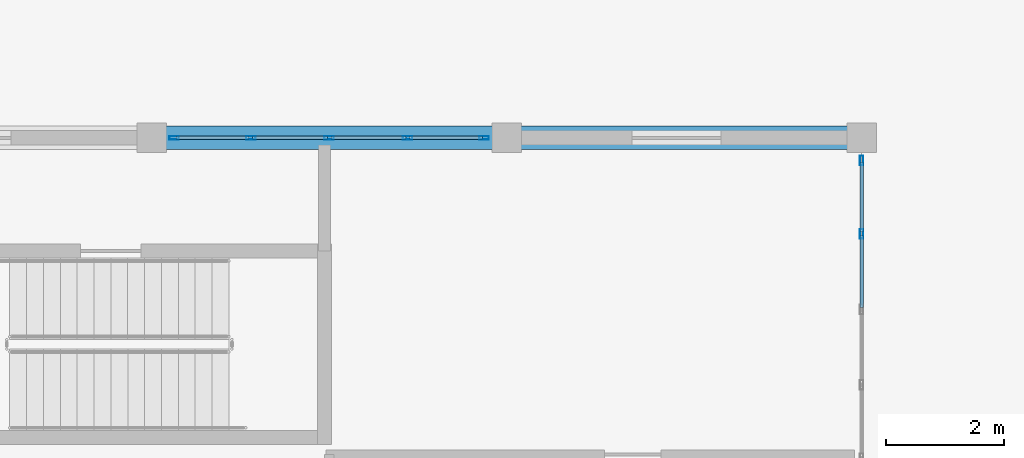
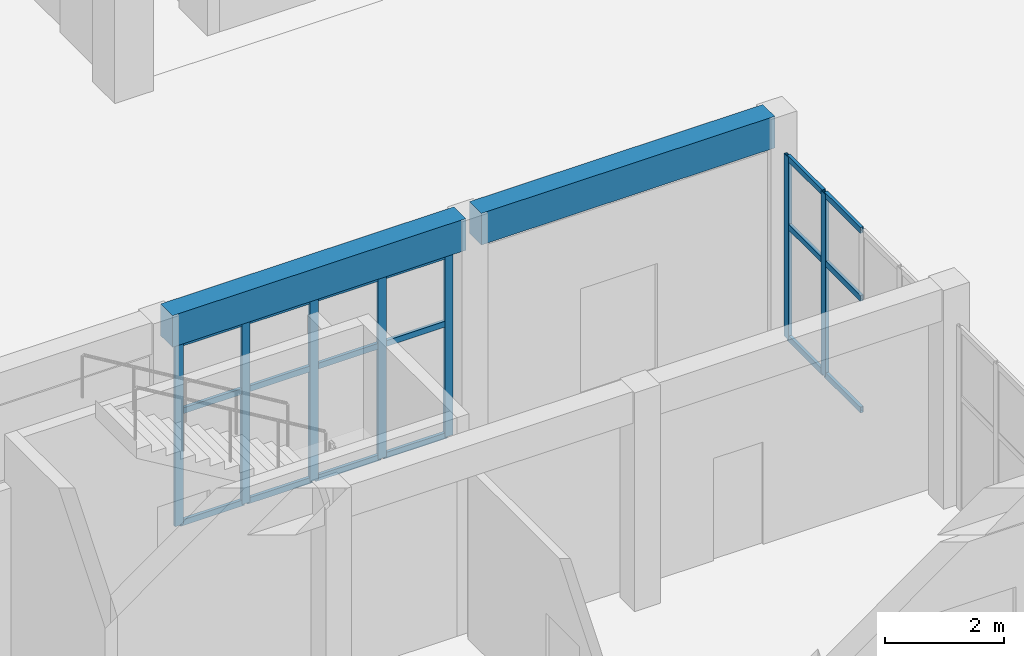
# One storey, part 19 of 132: 25 members, 2 beams, 2 elements without a shape of their own.
"""IFC4 building model written with IfcOpenShell, lengths in metres."""

from ifc_helpers import new_model, si_unit, direction, frame, origin, origin_2d, place, context, subcontext, project, spatial, rectangle, hollow_rectangle, extrude, material, material_profile, profile_set, type_object, element, aggregate, save


model = new_model("IFC4")

# Units and contexts
model_context = context("Model", 3, precision=1e-05, world=origin(), true_north=direction((0.0, 1.0)))
body_context = subcontext(model_context, "Body", "Model", "MODEL_VIEW")
ifc_project = project(units=[si_unit("LENGTHUNIT", "METRE"), si_unit("AREAUNIT", "SQUARE_METRE"), si_unit("VOLUMEUNIT", "CUBIC_METRE"), si_unit("PLANEANGLEUNIT", "RADIAN"), si_unit("MASSUNIT", "GRAM", prefix="KILO")], contexts=[model_context])

# Site, building, storey
site_placement = place(None, origin())
site = spatial("IfcSite", under=ifc_project, at=site_placement, CompositionType="ELEMENT")
building_placement = place(site_placement, origin())
building = spatial("IfcBuilding", under=site, at=building_placement, Name="Tanwirah Colonnade Gardens", CompositionType="ELEMENT")
storey_placement = place(building_placement, origin())
storey = spatial("IfcBuildingStorey", under=building, at=storey_placement, Name="L00", CompositionType="ELEMENT", Elevation=0.0)

# Beams
ifc_material_1 = material(Name="Precast concrete C45/55", Category="concrete")
ifc_material_profile_1 = material_profile(ifc_material_1, rectangle(XDim=0.39990234375, YDim=0.64990234375, at=origin_2d()), Name="PC-BM 400x650")
ifc_profile_set_1 = profile_set([ifc_material_profile_1], Name="Precast concrete C45/55")
beam_type = type_object("IfcBeamType", Name="BM-PC400", PredefinedType="BEAM", material=ifc_profile_set_1)
for number, where, z_axis, x_axis, name in (
    (1, (72.14990234375, 28.199951171875, 4.1650390625), (1.0, 0.0, 0.0), (0.0, 1.0, 0.0), "Boulevard Shops W L00 Beam 1.3"),
    (2, (78.14990234375, 28.199951171875, 4.1650390625), (1.0, 0.0, 0.0), (0.0, 1.0, 0.0), "Boulevard Shops W L00 Beam 2.3"),
):
    element("IfcBeam", number, at=place(storey_placement, frame(where, z_axis=z_axis, x_axis=x_axis)), inside=storey, type_object=beam_type, Name=name, PredefinedType="BEAM", context=body_context, shape_type="SweptSolid", body=[
        extrude(rectangle(XDim=0.39990234375, YDim=0.64990234375, at=origin_2d()), origin(), (0.0, 0.0, 1.0), 5.7001953125),
    ])

# Curtain wall, members
ifc_material_2 = material(Name="Bronze-anodised aluminium and solar-control low-E glass", Category="aluminium")
curtain_wall_type = type_object("IfcCurtainWallType", Name="CW-SHP", PredefinedType="NOTDEFINED", material=ifc_material_2)
curtain_wall_1_placement = place(storey_placement, origin())
curtain_wall_1 = element("IfcCurtainWall", 3, at=curtain_wall_1_placement, inside=storey, type_object=curtain_wall_type, Name="Curtain Wall CW-SHP-W-L00-N-1", PredefinedType="NOTDEFINED")
ifc_material_3 = material(Name="Bronze-anodised aluminium", Category="aluminium")
ifc_material_profile_2 = material_profile(ifc_material_3, hollow_rectangle(XDim=0.06005859375, YDim=0.159912109375, WallThickness=0.00390625, at=origin_2d()), Name="CW-MUL 60x160x4")
ifc_profile_set_2 = profile_set([ifc_material_profile_2], Name="Bronze-anodised aluminium")
member_type_1 = type_object("IfcMemberType", Name="CWM-60x160", PredefinedType="MULLION", material=ifc_profile_set_2)
member_1_placement = place(storey_placement, frame((72.3798828125, 28.199951171875, 0.0), z_axis=(0.0, 0.0, 1.0), x_axis=(0.0, 1.0, 0.0)))
member_1 = element("IfcMember", 4, at=member_1_placement, type_object=member_type_1, Name="CW-SHP mullion 1", PredefinedType="MULLION", context=body_context, shape_type="SweptSolid", body=[
    extrude(hollow_rectangle(XDim=0.06005859375, YDim=0.159912109375, WallThickness=0.00390625, at=origin_2d()), origin(), (0.0, 0.0, 1.0), 3.75),
])
member_2_placement = place(storey_placement, frame((73.675048828125, 28.199951171875, 0.0), z_axis=(0.0, 0.0, 1.0), x_axis=(0.0, 1.0, 0.0)))
member_2 = element("IfcMember", 5, at=member_2_placement, type_object=member_type_1, Name="CW-SHP mullion 2", PredefinedType="MULLION", context=body_context, shape_type="SweptSolid", body=[
    extrude(hollow_rectangle(XDim=0.06005859375, YDim=0.159912109375, WallThickness=0.00390625, at=origin_2d()), origin(), (0.0, 0.0, 1.0), 3.75),
])
member_3_placement = place(storey_placement, frame((75.0, 28.199951171875, 0.0), z_axis=(0.0, 0.0, 1.0), x_axis=(0.0, 1.0, 0.0)))
member_3 = element("IfcMember", 6, at=member_3_placement, type_object=member_type_1, Name="CW-SHP mullion 3", PredefinedType="MULLION", context=body_context, shape_type="SweptSolid", body=[
    extrude(hollow_rectangle(XDim=0.06005859375, YDim=0.159912109375, WallThickness=0.00390625, at=origin_2d()), origin(), (0.0, 0.0, 1.0), 3.75),
])
member_4_placement = place(storey_placement, frame((76.324951171875, 28.199951171875, 0.0), z_axis=(0.0, 0.0, 1.0), x_axis=(0.0, 1.0, 0.0)))
member_4 = element("IfcMember", 7, at=member_4_placement, type_object=member_type_1, Name="CW-SHP mullion 4", PredefinedType="MULLION", context=body_context, shape_type="SweptSolid", body=[
    extrude(hollow_rectangle(XDim=0.06005859375, YDim=0.159912109375, WallThickness=0.00390625, at=origin_2d()), origin(), (0.0, 0.0, 1.0), 3.75),
])
member_5_placement = place(storey_placement, frame((77.6201171875, 28.199951171875, 0.0), z_axis=(0.0, 0.0, 1.0), x_axis=(0.0, 1.0, 0.0)))
member_5 = element("IfcMember", 8, at=member_5_placement, type_object=member_type_1, Name="CW-SHP mullion 5", PredefinedType="MULLION", context=body_context, shape_type="SweptSolid", body=[
    extrude(hollow_rectangle(XDim=0.06005859375, YDim=0.159912109375, WallThickness=0.00390625, at=origin_2d()), origin(), (0.0, 0.0, 1.0), 3.75),
])

curtain_wall_2_placement = place(storey_placement, origin())
curtain_wall_2 = element("IfcCurtainWall", 9, at=curtain_wall_2_placement, inside=storey, type_object=curtain_wall_type, Name="Curtain Wall CW-SHP-W-L00-E-2", PredefinedType="NOTDEFINED")
member_6_placement = place(storey_placement, frame((84.0, 26.574951171875, 0.0), z_axis=(0.0, 0.0, 1.0), x_axis=(-1.0, 0.0, 0.0)))
member_6 = element("IfcMember", 10, at=member_6_placement, type_object=member_type_1, Name="CW-SHP mullion 4", PredefinedType="MULLION", context=body_context, shape_type="SweptSolid", body=[
    extrude(hollow_rectangle(XDim=0.06005859375, YDim=0.159912109375, WallThickness=0.00390625, at=origin_2d()), origin(), (0.0, 0.0, 1.0), 3.75),
])
member_7_placement = place(storey_placement, frame((84.0, 27.820068359375, 0.0), z_axis=(0.0, 0.0, 1.0), x_axis=(-1.0, 0.0, 0.0)))
member_7 = element("IfcMember", 11, at=member_7_placement, type_object=member_type_1, Name="CW-SHP mullion 5", PredefinedType="MULLION", context=body_context, shape_type="SweptSolid", body=[
    extrude(hollow_rectangle(XDim=0.06005859375, YDim=0.159912109375, WallThickness=0.00390625, at=origin_2d()), origin(), (0.0, 0.0, 1.0), 3.75),
])

# Member
ifc_material_profile_3 = material_profile(ifc_material_3, hollow_rectangle(XDim=0.06005859375, YDim=0.1201171875, WallThickness=0.00390625, at=origin_2d()), Name="CW-TRN 60x120x4")
ifc_profile_set_3 = profile_set([ifc_material_profile_3], Name="Bronze-anodised aluminium")
member_type_2 = type_object("IfcMemberType", Name="CWT-60x120", PredefinedType="USERDEFINED", material=ifc_profile_set_3)
member_8_placement = place(storey_placement, frame((72.409912109375, 28.199951171875, 0.030029296875), z_axis=(1.0, 0.0, 0.0), x_axis=(0.0, 1.0, 0.0)))
member_8 = element("IfcMember", 12, at=member_8_placement, type_object=member_type_2, Name="CW-SHP transom 1.1", ObjectType="TRANSOM", PredefinedType="USERDEFINED", context=body_context, shape_type="SweptSolid", body=[
    extrude(hollow_rectangle(XDim=0.06005859375, YDim=0.1201171875, WallThickness=0.00390625, at=origin_2d()), origin(), (0.0, 0.0, 1.0), 1.235107421875),
])

member_9_placement = place(storey_placement, frame((72.409912109375, 28.199951171875, 2.324951171875), z_axis=(1.0, 0.0, 0.0), x_axis=(0.0, 1.0, 0.0)))
member_9 = element("IfcMember", 13, at=member_9_placement, type_object=member_type_2, Name="CW-SHP transom 1.2", ObjectType="TRANSOM", PredefinedType="USERDEFINED", context=body_context, shape_type="SweptSolid", body=[
    extrude(hollow_rectangle(XDim=0.06005859375, YDim=0.1201171875, WallThickness=0.00390625, at=origin_2d()), origin(), (0.0, 0.0, 1.0), 1.235107421875),
])

member_10_placement = place(storey_placement, frame((72.409912109375, 28.199951171875, 3.719970703125), z_axis=(1.0, 0.0, 0.0), x_axis=(0.0, 1.0, 0.0)))
member_10 = element("IfcMember", 14, at=member_10_placement, type_object=member_type_2, Name="CW-SHP transom 1.3", ObjectType="TRANSOM", PredefinedType="USERDEFINED", context=body_context, shape_type="SweptSolid", body=[
    extrude(hollow_rectangle(XDim=0.06005859375, YDim=0.1201171875, WallThickness=0.00390625, at=origin_2d()), origin(), (0.0, 0.0, 1.0), 1.235107421875),
])

member_11_placement = place(storey_placement, frame((73.705078125, 28.199951171875, 0.030029296875), z_axis=(1.0, 0.0, 0.0), x_axis=(0.0, 1.0, 0.0)))
member_11 = element("IfcMember", 15, at=member_11_placement, type_object=member_type_2, Name="CW-SHP transom 2.1", ObjectType="TRANSOM", PredefinedType="USERDEFINED", context=body_context, shape_type="SweptSolid", body=[
    extrude(hollow_rectangle(XDim=0.06005859375, YDim=0.1201171875, WallThickness=0.00390625, at=origin_2d()), origin(), (0.0, 0.0, 1.0), 1.264892578125),
])

member_12_placement = place(storey_placement, frame((73.705078125, 28.199951171875, 2.324951171875), z_axis=(1.0, 0.0, 0.0), x_axis=(0.0, 1.0, 0.0)))
member_12 = element("IfcMember", 16, at=member_12_placement, type_object=member_type_2, Name="CW-SHP transom 2.2", ObjectType="TRANSOM", PredefinedType="USERDEFINED", context=body_context, shape_type="SweptSolid", body=[
    extrude(hollow_rectangle(XDim=0.06005859375, YDim=0.1201171875, WallThickness=0.00390625, at=origin_2d()), origin(), (0.0, 0.0, 1.0), 1.264892578125),
])

member_13_placement = place(storey_placement, frame((73.705078125, 28.199951171875, 3.719970703125), z_axis=(1.0, 0.0, 0.0), x_axis=(0.0, 1.0, 0.0)))
member_13 = element("IfcMember", 17, at=member_13_placement, type_object=member_type_2, Name="CW-SHP transom 2.3", ObjectType="TRANSOM", PredefinedType="USERDEFINED", context=body_context, shape_type="SweptSolid", body=[
    extrude(hollow_rectangle(XDim=0.06005859375, YDim=0.1201171875, WallThickness=0.00390625, at=origin_2d()), origin(), (0.0, 0.0, 1.0), 1.264892578125),
])

member_14_placement = place(storey_placement, frame((75.030029296875, 28.199951171875, 0.030029296875), z_axis=(1.0, 0.0, 0.0), x_axis=(0.0, 1.0, 0.0)))
member_14 = element("IfcMember", 18, at=member_14_placement, type_object=member_type_2, Name="CW-SHP transom 3.1", ObjectType="TRANSOM", PredefinedType="USERDEFINED", context=body_context, shape_type="SweptSolid", body=[
    extrude(hollow_rectangle(XDim=0.06005859375, YDim=0.1201171875, WallThickness=0.00390625, at=origin_2d()), origin(), (0.0, 0.0, 1.0), 1.264892578125),
])

member_15_placement = place(storey_placement, frame((75.030029296875, 28.199951171875, 2.324951171875), z_axis=(1.0, 0.0, 0.0), x_axis=(0.0, 1.0, 0.0)))
member_15 = element("IfcMember", 19, at=member_15_placement, type_object=member_type_2, Name="CW-SHP transom 3.2", ObjectType="TRANSOM", PredefinedType="USERDEFINED", context=body_context, shape_type="SweptSolid", body=[
    extrude(hollow_rectangle(XDim=0.06005859375, YDim=0.1201171875, WallThickness=0.00390625, at=origin_2d()), origin(), (0.0, 0.0, 1.0), 1.264892578125),
])

member_16_placement = place(storey_placement, frame((75.030029296875, 28.199951171875, 3.719970703125), z_axis=(1.0, 0.0, 0.0), x_axis=(0.0, 1.0, 0.0)))
member_16 = element("IfcMember", 20, at=member_16_placement, type_object=member_type_2, Name="CW-SHP transom 3.3", ObjectType="TRANSOM", PredefinedType="USERDEFINED", context=body_context, shape_type="SweptSolid", body=[
    extrude(hollow_rectangle(XDim=0.06005859375, YDim=0.1201171875, WallThickness=0.00390625, at=origin_2d()), origin(), (0.0, 0.0, 1.0), 1.264892578125),
])

member_17_placement = place(storey_placement, frame((76.35498046875, 28.199951171875, 0.030029296875), z_axis=(1.0, 0.0, 0.0), x_axis=(0.0, 1.0, 0.0)))
member_17 = element("IfcMember", 21, at=member_17_placement, type_object=member_type_2, Name="CW-SHP transom 4.1", ObjectType="TRANSOM", PredefinedType="USERDEFINED", context=body_context, shape_type="SweptSolid", body=[
    extrude(hollow_rectangle(XDim=0.06005859375, YDim=0.1201171875, WallThickness=0.00390625, at=origin_2d()), origin(), (0.0, 0.0, 1.0), 1.235107421875),
])

member_18_placement = place(storey_placement, frame((76.35498046875, 28.199951171875, 2.324951171875), z_axis=(1.0, 0.0, 0.0), x_axis=(0.0, 1.0, 0.0)))
member_18 = element("IfcMember", 22, at=member_18_placement, type_object=member_type_2, Name="CW-SHP transom 4.2", ObjectType="TRANSOM", PredefinedType="USERDEFINED", context=body_context, shape_type="SweptSolid", body=[
    extrude(hollow_rectangle(XDim=0.06005859375, YDim=0.1201171875, WallThickness=0.00390625, at=origin_2d()), origin(), (0.0, 0.0, 1.0), 1.235107421875),
])

member_19_placement = place(storey_placement, frame((76.35498046875, 28.199951171875, 3.719970703125), z_axis=(1.0, 0.0, 0.0), x_axis=(0.0, 1.0, 0.0)))
member_19 = element("IfcMember", 23, at=member_19_placement, type_object=member_type_2, Name="CW-SHP transom 4.3", ObjectType="TRANSOM", PredefinedType="USERDEFINED", context=body_context, shape_type="SweptSolid", body=[
    extrude(hollow_rectangle(XDim=0.06005859375, YDim=0.1201171875, WallThickness=0.00390625, at=origin_2d()), origin(), (0.0, 0.0, 1.0), 1.235107421875),
])

aggregate(curtain_wall_1, [member_1, member_2, member_3, member_4, member_5, member_8, member_9, member_10, member_11, member_12, member_13, member_14, member_15, member_16, member_17, member_18, member_19])

member_20_placement = place(storey_placement, frame((84.0, 25.330078125, 0.030029296875), z_axis=(0.0, 1.0, 0.0), x_axis=(-1.0, 0.0, 0.0)))
member_20 = element("IfcMember", 24, at=member_20_placement, type_object=member_type_2, Name="CW-SHP transom 3.1", ObjectType="TRANSOM", PredefinedType="USERDEFINED", context=body_context, shape_type="SweptSolid", body=[
    extrude(hollow_rectangle(XDim=0.06005859375, YDim=0.1201171875, WallThickness=0.00390625, at=origin_2d()), origin(), (0.0, 0.0, 1.0), 1.21484375),
])

member_21_placement = place(storey_placement, frame((84.0, 25.330078125, 2.324951171875), z_axis=(0.0, 1.0, 0.0), x_axis=(-1.0, 0.0, 0.0)))
member_21 = element("IfcMember", 25, at=member_21_placement, type_object=member_type_2, Name="CW-SHP transom 3.2", ObjectType="TRANSOM", PredefinedType="USERDEFINED", context=body_context, shape_type="SweptSolid", body=[
    extrude(hollow_rectangle(XDim=0.06005859375, YDim=0.1201171875, WallThickness=0.00390625, at=origin_2d()), origin(), (0.0, 0.0, 1.0), 1.21484375),
])

member_22_placement = place(storey_placement, frame((84.0, 25.330078125, 3.719970703125), z_axis=(0.0, 1.0, 0.0), x_axis=(-1.0, 0.0, 0.0)))
member_22 = element("IfcMember", 26, at=member_22_placement, type_object=member_type_2, Name="CW-SHP transom 3.3", ObjectType="TRANSOM", PredefinedType="USERDEFINED", context=body_context, shape_type="SweptSolid", body=[
    extrude(hollow_rectangle(XDim=0.06005859375, YDim=0.1201171875, WallThickness=0.00390625, at=origin_2d()), origin(), (0.0, 0.0, 1.0), 1.21484375),
])

member_23_placement = place(storey_placement, frame((84.0, 26.60498046875, 0.030029296875), z_axis=(0.0, 1.0, 0.0), x_axis=(-1.0, 0.0, 0.0)))
member_23 = element("IfcMember", 27, at=member_23_placement, type_object=member_type_2, Name="CW-SHP transom 4.1", ObjectType="TRANSOM", PredefinedType="USERDEFINED", context=body_context, shape_type="SweptSolid", body=[
    extrude(hollow_rectangle(XDim=0.06005859375, YDim=0.1201171875, WallThickness=0.00390625, at=origin_2d()), origin(), (0.0, 0.0, 1.0), 1.18505859375),
])

member_24_placement = place(storey_placement, frame((84.0, 26.60498046875, 2.324951171875), z_axis=(0.0, 1.0, 0.0), x_axis=(-1.0, 0.0, 0.0)))
member_24 = element("IfcMember", 28, at=member_24_placement, type_object=member_type_2, Name="CW-SHP transom 4.2", ObjectType="TRANSOM", PredefinedType="USERDEFINED", context=body_context, shape_type="SweptSolid", body=[
    extrude(hollow_rectangle(XDim=0.06005859375, YDim=0.1201171875, WallThickness=0.00390625, at=origin_2d()), origin(), (0.0, 0.0, 1.0), 1.18505859375),
])

member_25_placement = place(storey_placement, frame((84.0, 26.60498046875, 3.719970703125), z_axis=(0.0, 1.0, 0.0), x_axis=(-1.0, 0.0, 0.0)))
member_25 = element("IfcMember", 29, at=member_25_placement, type_object=member_type_2, Name="CW-SHP transom 4.3", ObjectType="TRANSOM", PredefinedType="USERDEFINED", context=body_context, shape_type="SweptSolid", body=[
    extrude(hollow_rectangle(XDim=0.06005859375, YDim=0.1201171875, WallThickness=0.00390625, at=origin_2d()), origin(), (0.0, 0.0, 1.0), 1.18505859375),
])

aggregate(curtain_wall_2, [member_6, member_7, member_20, member_21, member_22, member_23, member_24, member_25])

save(model, "model.ifc")
